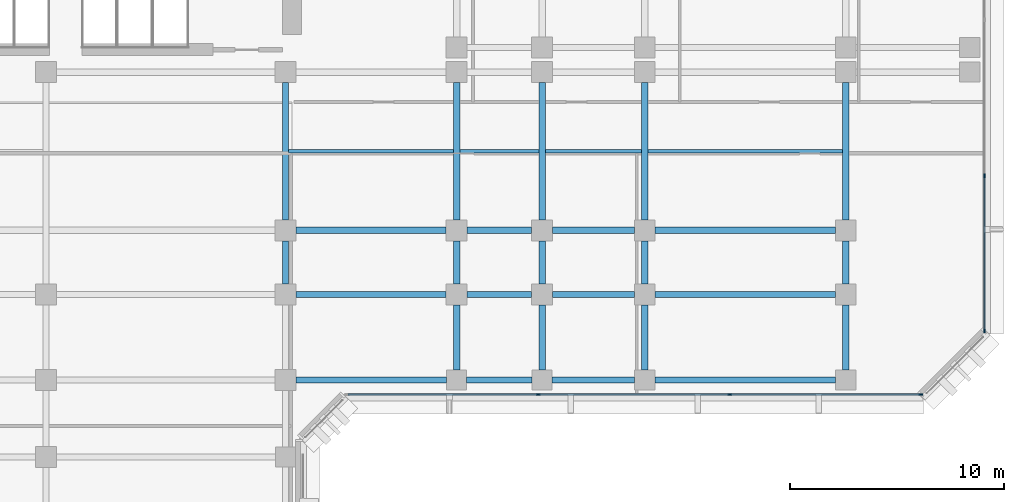
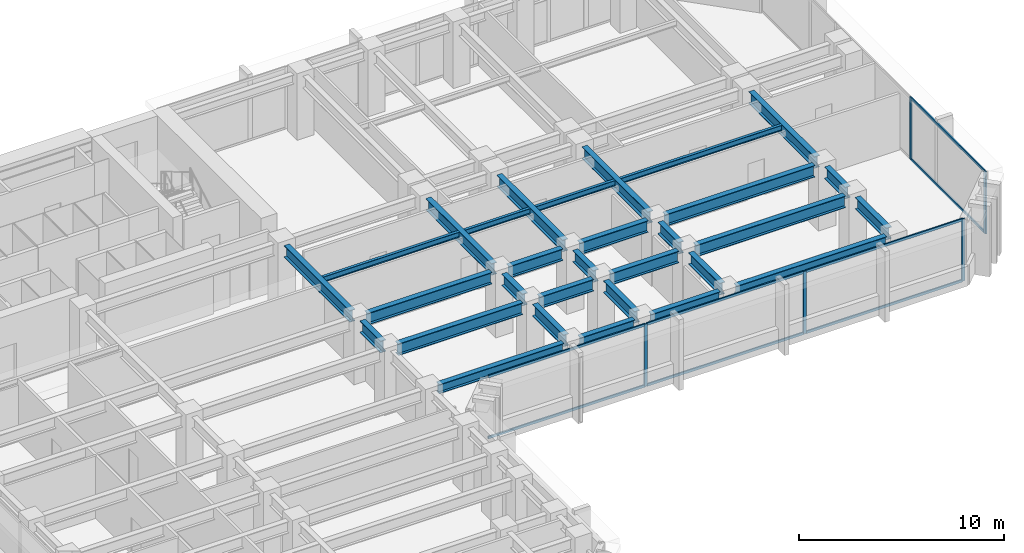
# One storey, part 3 of 13: 30 beams, 13 members, 2 elements without a shape of their own.
"""IFC4 building model written with IfcOpenShell, lengths in metres."""

from ifc_helpers import new_model, si_unit, direction, frame, origin, origin_2d, place, context, subcontext, project, spatial, rectangle, i_section, extrude, material, layer, layer_set, material_profile, profile_set, type_object, element, aggregate, save


model = new_model("IFC4")

# Units and contexts
model_context = context("Model", 3, precision=1e-05, world=origin(), true_north=direction((0.0, 1.0)))
body_context = subcontext(model_context, "Body", "Model", "MODEL_VIEW")
ifc_project = project(units=[si_unit("LENGTHUNIT", "METRE"), si_unit("AREAUNIT", "SQUARE_METRE"), si_unit("VOLUMEUNIT", "CUBIC_METRE"), si_unit("PLANEANGLEUNIT", "RADIAN"), si_unit("MASSUNIT", "GRAM", prefix="KILO")], contexts=[model_context])

# Site, building, storey
site_placement = place(None, origin())
site = spatial("IfcSite", under=ifc_project, at=site_placement, CompositionType="ELEMENT")
building_placement = place(site_placement, origin())
building = spatial("IfcBuilding", under=site, at=building_placement, Name="Kefirva Bronze Tower", CompositionType="ELEMENT")
storey_placement = place(building_placement, frame((0.0, 0.0, 46.199951171875)))
storey = spatial("IfcBuildingStorey", under=building, at=storey_placement, Name="L10", CompositionType="ELEMENT", Elevation=46.199951171875)

# Curtain wall, members
ifc_material_1 = material(Name="Bronze anodised aluminium", Category="aluminium")
ifc_layer = layer(ifc_material_1, 0.199951171875, Name="Bronze anodised aluminium")
ifc_layer_set = layer_set([ifc_layer], Name="Bronze anodised aluminium")
curtain_wall_type = type_object("IfcCurtainWallType", Name="Unitised Bronze Ribbon Curtain Wall Zone 1", PredefinedType="USERDEFINED", material=ifc_layer_set)
curtain_wall_1_placement = place(storey_placement, origin())
curtain_wall_1 = element("IfcCurtainWall", 1, at=curtain_wall_1_placement, inside=storey, type_object=curtain_wall_type, Name="L10 Curtain Wall 2", ObjectType="UNITISED CURTAIN WALL", PredefinedType="USERDEFINED")
ifc_material_profile_1 = material_profile(ifc_material_1, rectangle(XDim=0.074951171875, YDim=0.179931640625, at=origin_2d()), Name="ALU 75x180")
ifc_profile_set_1 = profile_set([ifc_material_profile_1], Name="Bronze anodised aluminium")
member_type_1 = type_object("IfcMemberType", Name="Bronze Mullion 75x180", PredefinedType="MULLION", material=ifc_profile_set_1)
member_1_placement = place(storey_placement, frame((35.018310546875, 18.1201171875, 0.0), z_axis=(0.0, 0.0, 1.0), x_axis=(0.0, 1.0, 0.0)))
member_1 = element("IfcMember", 2, at=member_1_placement, type_object=member_type_1, Name="CW-01 mullion 2", PredefinedType="MULLION", context=body_context, shape_type="SweptSolid", body=[
    extrude(rectangle(XDim=0.074951171875, YDim=0.179931640625, at=origin_2d()), origin(), (0.0, 0.0, 1.0), 3.7099609375),
])
member_2_placement = place(storey_placement, frame((43.981689453125, 18.1201171875, 0.0), z_axis=(0.0, 0.0, 1.0), x_axis=(0.0, 1.0, 0.0)))
member_2 = element("IfcMember", 3, at=member_2_placement, type_object=member_type_1, Name="CW-01 mullion 3", PredefinedType="MULLION", context=body_context, shape_type="SweptSolid", body=[
    extrude(rectangle(XDim=0.074951171875, YDim=0.179931640625, at=origin_2d()), origin(), (0.0, 0.0, 1.0), 3.7099609375),
])
member_3_placement = place(storey_placement, frame((52.907470703125, 18.1201171875, 0.0), z_axis=(0.0, 0.0, 1.0), x_axis=(0.0, 1.0, 0.0)))
member_3 = element("IfcMember", 4, at=member_3_placement, type_object=member_type_1, Name="CW-01 mullion 4", PredefinedType="MULLION", context=body_context, shape_type="SweptSolid", body=[
    extrude(rectangle(XDim=0.074951171875, YDim=0.179931640625, at=origin_2d()), origin(), (0.0, 0.0, 1.0), 3.7099609375),
])

curtain_wall_2_placement = place(storey_placement, origin())
curtain_wall_2 = element("IfcCurtainWall", 5, at=curtain_wall_2_placement, inside=storey, type_object=curtain_wall_type, Name="L10 Curtain Wall 3", ObjectType="UNITISED CURTAIN WALL", PredefinedType="USERDEFINED")
member_4_placement = place(storey_placement, frame((55.8798828125, 21.092529296875, 0.0), z_axis=(0.0, 0.0, 1.0), x_axis=(-1.0, 0.0, 0.0)))
member_4 = element("IfcMember", 6, at=member_4_placement, type_object=member_type_1, Name="CW-01 mullion 1", PredefinedType="MULLION", context=body_context, shape_type="SweptSolid", body=[
    extrude(rectangle(XDim=0.074951171875, YDim=0.179931640625, at=origin_2d()), origin(), (0.0, 0.0, 1.0), 3.7099609375),
])
member_5_placement = place(storey_placement, frame((55.8798828125, 28.3515625, 0.0), z_axis=(0.0, 0.0, 1.0), x_axis=(-1.0, 0.0, 0.0)))
member_5 = element("IfcMember", 7, at=member_5_placement, type_object=member_type_1, Name="CW-01 mullion 2", PredefinedType="MULLION", context=body_context, shape_type="SweptSolid", body=[
    extrude(rectangle(XDim=0.074951171875, YDim=0.179931640625, at=origin_2d()), origin(), (0.0, 0.0, 1.0), 3.7099609375),
])

# Member
ifc_material_profile_2 = material_profile(ifc_material_1, rectangle(XDim=0.074951171875, YDim=0.14990234375, at=origin_2d()), Name="ALU 75x150")
ifc_profile_set_2 = profile_set([ifc_material_profile_2], Name="Bronze anodised aluminium")
member_type_2 = type_object("IfcMemberType", Name="Bronze Transom 75x150", PredefinedType="USERDEFINED", material=ifc_profile_set_2)
member_6_placement = place(storey_placement, frame((26.1298828125, 18.1201171875, 0.03759765625), z_axis=(1.0, 0.0, 0.0), x_axis=(0.0, 1.0, 0.0)))
member_6 = element("IfcMember", 8, at=member_6_placement, type_object=member_type_2, Name="CW-01 transom 1.1", ObjectType="TRANSOM", PredefinedType="USERDEFINED", context=body_context, shape_type="SweptSolid", body=[
    extrude(rectangle(XDim=0.074951171875, YDim=0.14990234375, at=origin_2d()), origin(), (0.0, 0.0, 1.0), 8.850830078125),
])

member_7_placement = place(storey_placement, frame((26.1298828125, 18.1201171875, 3.672607421875), z_axis=(1.0, 0.0, 0.0), x_axis=(0.0, 1.0, 0.0)))
member_7 = element("IfcMember", 9, at=member_7_placement, type_object=member_type_2, Name="CW-01 transom 1.2", ObjectType="TRANSOM", PredefinedType="USERDEFINED", context=body_context, shape_type="SweptSolid", body=[
    extrude(rectangle(XDim=0.074951171875, YDim=0.14990234375, at=origin_2d()), origin(), (0.0, 0.0, 1.0), 8.850830078125),
])

member_8_placement = place(storey_placement, frame((35.055908203125, 18.1201171875, 0.03759765625), z_axis=(1.0, 0.0, 0.0), x_axis=(0.0, 1.0, 0.0)))
member_8 = element("IfcMember", 10, at=member_8_placement, type_object=member_type_2, Name="CW-01 transom 2.1", ObjectType="TRANSOM", PredefinedType="USERDEFINED", context=body_context, shape_type="SweptSolid", body=[
    extrude(rectangle(XDim=0.074951171875, YDim=0.14990234375, at=origin_2d()), origin(), (0.0, 0.0, 1.0), 8.88818359375),
])

member_9_placement = place(storey_placement, frame((35.055908203125, 18.1201171875, 3.672607421875), z_axis=(1.0, 0.0, 0.0), x_axis=(0.0, 1.0, 0.0)))
member_9 = element("IfcMember", 11, at=member_9_placement, type_object=member_type_2, Name="CW-01 transom 2.2", ObjectType="TRANSOM", PredefinedType="USERDEFINED", context=body_context, shape_type="SweptSolid", body=[
    extrude(rectangle(XDim=0.074951171875, YDim=0.14990234375, at=origin_2d()), origin(), (0.0, 0.0, 1.0), 8.88818359375),
])

member_10_placement = place(storey_placement, frame((44.019287109375, 18.1201171875, 0.03759765625), z_axis=(1.0, 0.0, 0.0), x_axis=(0.0, 1.0, 0.0)))
member_10 = element("IfcMember", 12, at=member_10_placement, type_object=member_type_2, Name="CW-01 transom 3.1", ObjectType="TRANSOM", PredefinedType="USERDEFINED", context=body_context, shape_type="SweptSolid", body=[
    extrude(rectangle(XDim=0.074951171875, YDim=0.14990234375, at=origin_2d()), origin(), (0.0, 0.0, 1.0), 8.850830078125),
])

member_11_placement = place(storey_placement, frame((44.019287109375, 18.1201171875, 3.672607421875), z_axis=(1.0, 0.0, 0.0), x_axis=(0.0, 1.0, 0.0)))
member_11 = element("IfcMember", 13, at=member_11_placement, type_object=member_type_2, Name="CW-01 transom 3.2", ObjectType="TRANSOM", PredefinedType="USERDEFINED", context=body_context, shape_type="SweptSolid", body=[
    extrude(rectangle(XDim=0.074951171875, YDim=0.14990234375, at=origin_2d()), origin(), (0.0, 0.0, 1.0), 8.850830078125),
])

aggregate(curtain_wall_1, [member_1, member_2, member_3, member_6, member_7, member_8, member_9, member_10, member_11])

member_12_placement = place(storey_placement, frame((55.8798828125, 21.1298828125, 0.03759765625), z_axis=(0.0, 1.0, 0.0), x_axis=(-1.0, 0.0, 0.0)))
member_12 = element("IfcMember", 14, at=member_12_placement, type_object=member_type_2, Name="CW-01 transom 1.1", ObjectType="TRANSOM", PredefinedType="USERDEFINED", context=body_context, shape_type="SweptSolid", body=[
    extrude(rectangle(XDim=0.074951171875, YDim=0.14990234375, at=origin_2d()), origin(), (0.0, 0.0, 1.0), 7.184326171875),
])

member_13_placement = place(storey_placement, frame((55.8798828125, 21.1298828125, 3.672607421875), z_axis=(0.0, 1.0, 0.0), x_axis=(-1.0, 0.0, 0.0)))
member_13 = element("IfcMember", 15, at=member_13_placement, type_object=member_type_2, Name="CW-01 transom 1.2", ObjectType="TRANSOM", PredefinedType="USERDEFINED", context=body_context, shape_type="SweptSolid", body=[
    extrude(rectangle(XDim=0.074951171875, YDim=0.14990234375, at=origin_2d()), origin(), (0.0, 0.0, 1.0), 7.184326171875),
])

aggregate(curtain_wall_2, [member_4, member_5, member_12, member_13])

# Beams
ifc_material_2 = material(Name="Steel S355", Category="steel")
ifc_material_profile_3 = material_profile(ifc_material_2, i_section(OverallWidth=0.159912109375, OverallDepth=0.330078125, WebThickness=0.007568359375, FlangeThickness=0.011474609375, at=origin_2d()), Name="IPE 330")
ifc_profile_set_3 = profile_set([ifc_material_profile_3], Name="Steel S355")
beam_type_1 = type_object("IfcBeamType", Name="Steel Floor Joist IPE 330", PredefinedType="JOIST", material=ifc_profile_set_3)
beam_1_placement = place(storey_placement, frame((23.35009765625, 29.5, 3.545166015625), z_axis=(1.0, 0.0, 0.0), x_axis=(0.0, 1.0, 0.0)))
element("IfcBeam", 16, at=beam_1_placement, inside=storey, type_object=beam_type_1, Name="L10 JST-L10-23-295", PredefinedType="JOIST", context=body_context, shape_type="SweptSolid", body=[
    extrude(i_section(OverallWidth=0.159912109375, OverallDepth=0.330078125, WebThickness=0.007568359375, FlangeThickness=0.011474609375, at=origin_2d()), origin(), (0.0, 0.0, 1.0), 7.699951171875),
])
beam_2_placement = place(storey_placement, frame((31.35009765625, 29.5, 3.545166015625), z_axis=(1.0, 0.0, 0.0), x_axis=(0.0, 1.0, 0.0)))
element("IfcBeam", 17, at=beam_2_placement, inside=storey, type_object=beam_type_1, Name="L10 JST-L10-31-295", PredefinedType="JOIST", context=body_context, shape_type="SweptSolid", body=[
    extrude(i_section(OverallWidth=0.159912109375, OverallDepth=0.330078125, WebThickness=0.007568359375, FlangeThickness=0.011474609375, at=origin_2d()), origin(), (0.0, 0.0, 1.0), 3.699951171875),
])
beam_3_placement = place(storey_placement, frame((35.35009765625, 29.5, 3.545166015625), z_axis=(1.0, 0.0, 0.0), x_axis=(0.0, 1.0, 0.0)))
element("IfcBeam", 18, at=beam_3_placement, inside=storey, type_object=beam_type_1, Name="L10 JST-L10-35-295", PredefinedType="JOIST", context=body_context, shape_type="SweptSolid", body=[
    extrude(i_section(OverallWidth=0.159912109375, OverallDepth=0.330078125, WebThickness=0.007568359375, FlangeThickness=0.011474609375, at=origin_2d()), origin(), (0.0, 0.0, 1.0), 4.5),
])
beam_4_placement = place(storey_placement, frame((40.14990234375, 29.5, 3.545166015625), z_axis=(1.0, 0.0, 0.0), x_axis=(0.0, 1.0, 0.0)))
element("IfcBeam", 19, at=beam_4_placement, inside=storey, type_object=beam_type_1, Name="L10 JST-L10-40-295", PredefinedType="JOIST", context=body_context, shape_type="SweptSolid", body=[
    extrude(i_section(OverallWidth=0.159912109375, OverallDepth=0.330078125, WebThickness=0.007568359375, FlangeThickness=0.011474609375, at=origin_2d()), origin(), (0.0, 0.0, 1.0), 9.10009765625),
])
ifc_material_profile_4 = material_profile(ifc_material_2, i_section(OverallWidth=0.300048828125, OverallDepth=0.699951171875, WebThickness=0.01708984375, FlangeThickness=0.031982421875, at=origin_2d()), Name="HEB 700")
ifc_profile_set_4 = profile_set([ifc_material_profile_4], Name="Steel S355")
beam_type_2 = type_object("IfcBeamType", Name="Steel Girder HEB 700", PredefinedType="USERDEFINED", material=ifc_profile_set_4)
beam_5_placement = place(storey_placement, frame((23.68994140625, 22.800048828125, 3.360107421875), z_axis=(1.0, 0.0, 0.0), x_axis=(0.0, 1.0, 0.0)))
element("IfcBeam", 20, at=beam_5_placement, inside=storey, type_object=beam_type_2, Name="L10 BM-L10-EW-23-228", ObjectType="GIRDER", PredefinedType="USERDEFINED", context=body_context, shape_type="SweptSolid", body=[
    extrude(i_section(OverallWidth=0.300048828125, OverallDepth=0.699951171875, WebThickness=0.01708984375, FlangeThickness=0.031982421875, at=origin_2d()), origin(), (0.0, 0.0, 1.0), 7.02001953125),
])
beam_6_placement = place(storey_placement, frame((31.68994140625, 22.800048828125, 3.360107421875), z_axis=(1.0, 0.0, 0.0), x_axis=(0.0, 1.0, 0.0)))
element("IfcBeam", 21, at=beam_6_placement, inside=storey, type_object=beam_type_2, Name="L10 BM-L10-EW-31-228", ObjectType="GIRDER", PredefinedType="USERDEFINED", context=body_context, shape_type="SweptSolid", body=[
    extrude(i_section(OverallWidth=0.300048828125, OverallDepth=0.699951171875, WebThickness=0.01708984375, FlangeThickness=0.031982421875, at=origin_2d()), origin(), (0.0, 0.0, 1.0), 3.02001953125),
])
beam_7_placement = place(storey_placement, frame((35.68994140625, 22.800048828125, 3.360107421875), z_axis=(1.0, 0.0, 0.0), x_axis=(0.0, 1.0, 0.0)))
element("IfcBeam", 22, at=beam_7_placement, inside=storey, type_object=beam_type_2, Name="L10 BM-L10-EW-35-228", ObjectType="GIRDER", PredefinedType="USERDEFINED", context=body_context, shape_type="SweptSolid", body=[
    extrude(i_section(OverallWidth=0.300048828125, OverallDepth=0.699951171875, WebThickness=0.01708984375, FlangeThickness=0.031982421875, at=origin_2d()), origin(), (0.0, 0.0, 1.0), 3.820068359375),
])
beam_8_placement = place(storey_placement, frame((40.489990234375, 22.800048828125, 3.360107421875), z_axis=(1.0, 0.0, 0.0), x_axis=(0.0, 1.0, 0.0)))
element("IfcBeam", 23, at=beam_8_placement, inside=storey, type_object=beam_type_2, Name="L10 BM-L10-EW-40-228", ObjectType="GIRDER", PredefinedType="USERDEFINED", context=body_context, shape_type="SweptSolid", body=[
    extrude(i_section(OverallWidth=0.300048828125, OverallDepth=0.699951171875, WebThickness=0.01708984375, FlangeThickness=0.031982421875, at=origin_2d()), origin(), (0.0, 0.0, 1.0), 8.419921875),
])
beam_9_placement = place(storey_placement, frame((23.68994140625, 25.800048828125, 3.360107421875), z_axis=(1.0, 0.0, 0.0), x_axis=(0.0, 1.0, 0.0)))
element("IfcBeam", 24, at=beam_9_placement, inside=storey, type_object=beam_type_2, Name="L10 BM-L10-EW-23-258", ObjectType="GIRDER", PredefinedType="USERDEFINED", context=body_context, shape_type="SweptSolid", body=[
    extrude(i_section(OverallWidth=0.300048828125, OverallDepth=0.699951171875, WebThickness=0.01708984375, FlangeThickness=0.031982421875, at=origin_2d()), origin(), (0.0, 0.0, 1.0), 7.02001953125),
])
beam_10_placement = place(storey_placement, frame((31.68994140625, 25.800048828125, 3.360107421875), z_axis=(1.0, 0.0, 0.0), x_axis=(0.0, 1.0, 0.0)))
element("IfcBeam", 25, at=beam_10_placement, inside=storey, type_object=beam_type_2, Name="L10 BM-L10-EW-31-258", ObjectType="GIRDER", PredefinedType="USERDEFINED", context=body_context, shape_type="SweptSolid", body=[
    extrude(i_section(OverallWidth=0.300048828125, OverallDepth=0.699951171875, WebThickness=0.01708984375, FlangeThickness=0.031982421875, at=origin_2d()), origin(), (0.0, 0.0, 1.0), 3.02001953125),
])
beam_11_placement = place(storey_placement, frame((35.68994140625, 25.800048828125, 3.360107421875), z_axis=(1.0, 0.0, 0.0), x_axis=(0.0, 1.0, 0.0)))
element("IfcBeam", 26, at=beam_11_placement, inside=storey, type_object=beam_type_2, Name="L10 BM-L10-EW-35-258", ObjectType="GIRDER", PredefinedType="USERDEFINED", context=body_context, shape_type="SweptSolid", body=[
    extrude(i_section(OverallWidth=0.300048828125, OverallDepth=0.699951171875, WebThickness=0.01708984375, FlangeThickness=0.031982421875, at=origin_2d()), origin(), (0.0, 0.0, 1.0), 3.820068359375),
])
beam_12_placement = place(storey_placement, frame((40.489990234375, 25.800048828125, 3.360107421875), z_axis=(1.0, 0.0, 0.0), x_axis=(0.0, 1.0, 0.0)))
element("IfcBeam", 27, at=beam_12_placement, inside=storey, type_object=beam_type_2, Name="L10 BM-L10-EW-40-258", ObjectType="GIRDER", PredefinedType="USERDEFINED", context=body_context, shape_type="SweptSolid", body=[
    extrude(i_section(OverallWidth=0.300048828125, OverallDepth=0.699951171875, WebThickness=0.01708984375, FlangeThickness=0.031982421875, at=origin_2d()), origin(), (0.0, 0.0, 1.0), 8.419921875),
])
beam_13_placement = place(storey_placement, frame((23.199951171875, 23.2900390625, 3.360107421875), z_axis=(0.0, 1.0, 0.0), x_axis=(-1.0, 0.0, 0.0)))
element("IfcBeam", 28, at=beam_13_placement, inside=storey, type_object=beam_type_2, Name="L10 BM-L10-NS-232-22", ObjectType="GIRDER", PredefinedType="USERDEFINED", context=body_context, shape_type="SweptSolid", body=[
    extrude(i_section(OverallWidth=0.300048828125, OverallDepth=0.699951171875, WebThickness=0.01708984375, FlangeThickness=0.031982421875, at=origin_2d()), origin(), (0.0, 0.0, 1.0), 2.02001953125),
])
beam_14_placement = place(storey_placement, frame((23.199951171875, 26.2900390625, 3.360107421875), z_axis=(0.0, 1.0, 0.0), x_axis=(-1.0, 0.0, 0.0)))
element("IfcBeam", 29, at=beam_14_placement, inside=storey, type_object=beam_type_2, Name="L10 BM-L10-NS-232-25", ObjectType="GIRDER", PredefinedType="USERDEFINED", context=body_context, shape_type="SweptSolid", body=[
    extrude(i_section(OverallWidth=0.300048828125, OverallDepth=0.699951171875, WebThickness=0.01708984375, FlangeThickness=0.031982421875, at=origin_2d()), origin(), (0.0, 0.0, 1.0), 6.419921875),
])
beam_15_placement = place(storey_placement, frame((31.199951171875, 19.27001953125, 3.360107421875), z_axis=(0.0, 1.0, 0.0), x_axis=(-1.0, 0.0, 0.0)))
element("IfcBeam", 30, at=beam_15_placement, inside=storey, type_object=beam_type_2, Name="L10 BM-L10-NS-312-18", ObjectType="GIRDER", PredefinedType="USERDEFINED", context=body_context, shape_type="SweptSolid", body=[
    extrude(i_section(OverallWidth=0.300048828125, OverallDepth=0.699951171875, WebThickness=0.01708984375, FlangeThickness=0.031982421875, at=origin_2d()), origin(), (0.0, 0.0, 1.0), 3.0400390625),
])
beam_16_placement = place(storey_placement, frame((31.199951171875, 23.2900390625, 3.360107421875), z_axis=(0.0, 1.0, 0.0), x_axis=(-1.0, 0.0, 0.0)))
element("IfcBeam", 31, at=beam_16_placement, inside=storey, type_object=beam_type_2, Name="L10 BM-L10-NS-312-22", ObjectType="GIRDER", PredefinedType="USERDEFINED", context=body_context, shape_type="SweptSolid", body=[
    extrude(i_section(OverallWidth=0.300048828125, OverallDepth=0.699951171875, WebThickness=0.01708984375, FlangeThickness=0.031982421875, at=origin_2d()), origin(), (0.0, 0.0, 1.0), 2.02001953125),
])
beam_17_placement = place(storey_placement, frame((31.199951171875, 26.2900390625, 3.360107421875), z_axis=(0.0, 1.0, 0.0), x_axis=(-1.0, 0.0, 0.0)))
element("IfcBeam", 32, at=beam_17_placement, inside=storey, type_object=beam_type_2, Name="L10 BM-L10-NS-312-25", ObjectType="GIRDER", PredefinedType="USERDEFINED", context=body_context, shape_type="SweptSolid", body=[
    extrude(i_section(OverallWidth=0.300048828125, OverallDepth=0.699951171875, WebThickness=0.01708984375, FlangeThickness=0.031982421875, at=origin_2d()), origin(), (0.0, 0.0, 1.0), 6.419921875),
])
beam_18_placement = place(storey_placement, frame((35.199951171875, 19.27001953125, 3.360107421875), z_axis=(0.0, 1.0, 0.0), x_axis=(-1.0, 0.0, 0.0)))
element("IfcBeam", 33, at=beam_18_placement, inside=storey, type_object=beam_type_2, Name="L10 BM-L10-NS-352-18", ObjectType="GIRDER", PredefinedType="USERDEFINED", context=body_context, shape_type="SweptSolid", body=[
    extrude(i_section(OverallWidth=0.300048828125, OverallDepth=0.699951171875, WebThickness=0.01708984375, FlangeThickness=0.031982421875, at=origin_2d()), origin(), (0.0, 0.0, 1.0), 3.0400390625),
])
beam_19_placement = place(storey_placement, frame((35.199951171875, 23.2900390625, 3.360107421875), z_axis=(0.0, 1.0, 0.0), x_axis=(-1.0, 0.0, 0.0)))
element("IfcBeam", 34, at=beam_19_placement, inside=storey, type_object=beam_type_2, Name="L10 BM-L10-NS-352-22", ObjectType="GIRDER", PredefinedType="USERDEFINED", context=body_context, shape_type="SweptSolid", body=[
    extrude(i_section(OverallWidth=0.300048828125, OverallDepth=0.699951171875, WebThickness=0.01708984375, FlangeThickness=0.031982421875, at=origin_2d()), origin(), (0.0, 0.0, 1.0), 2.02001953125),
])
beam_20_placement = place(storey_placement, frame((35.199951171875, 26.2900390625, 3.360107421875), z_axis=(0.0, 1.0, 0.0), x_axis=(-1.0, 0.0, 0.0)))
element("IfcBeam", 35, at=beam_20_placement, inside=storey, type_object=beam_type_2, Name="L10 BM-L10-NS-352-25", ObjectType="GIRDER", PredefinedType="USERDEFINED", context=body_context, shape_type="SweptSolid", body=[
    extrude(i_section(OverallWidth=0.300048828125, OverallDepth=0.699951171875, WebThickness=0.01708984375, FlangeThickness=0.031982421875, at=origin_2d()), origin(), (0.0, 0.0, 1.0), 6.419921875),
])
beam_21_placement = place(storey_placement, frame((40.0, 19.27001953125, 3.360107421875), z_axis=(0.0, 1.0, 0.0), x_axis=(-1.0, 0.0, 0.0)))
element("IfcBeam", 36, at=beam_21_placement, inside=storey, type_object=beam_type_2, Name="L10 BM-L10-NS-400-18", ObjectType="GIRDER", PredefinedType="USERDEFINED", context=body_context, shape_type="SweptSolid", body=[
    extrude(i_section(OverallWidth=0.300048828125, OverallDepth=0.699951171875, WebThickness=0.01708984375, FlangeThickness=0.031982421875, at=origin_2d()), origin(), (0.0, 0.0, 1.0), 3.0400390625),
])
beam_22_placement = place(storey_placement, frame((40.0, 23.2900390625, 3.360107421875), z_axis=(0.0, 1.0, 0.0), x_axis=(-1.0, 0.0, 0.0)))
element("IfcBeam", 37, at=beam_22_placement, inside=storey, type_object=beam_type_2, Name="L10 BM-L10-NS-400-22", ObjectType="GIRDER", PredefinedType="USERDEFINED", context=body_context, shape_type="SweptSolid", body=[
    extrude(i_section(OverallWidth=0.300048828125, OverallDepth=0.699951171875, WebThickness=0.01708984375, FlangeThickness=0.031982421875, at=origin_2d()), origin(), (0.0, 0.0, 1.0), 2.02001953125),
])
beam_23_placement = place(storey_placement, frame((40.0, 26.2900390625, 3.360107421875), z_axis=(0.0, 1.0, 0.0), x_axis=(-1.0, 0.0, 0.0)))
element("IfcBeam", 38, at=beam_23_placement, inside=storey, type_object=beam_type_2, Name="L10 BM-L10-NS-400-25", ObjectType="GIRDER", PredefinedType="USERDEFINED", context=body_context, shape_type="SweptSolid", body=[
    extrude(i_section(OverallWidth=0.300048828125, OverallDepth=0.699951171875, WebThickness=0.01708984375, FlangeThickness=0.031982421875, at=origin_2d()), origin(), (0.0, 0.0, 1.0), 6.419921875),
])
beam_24_placement = place(storey_placement, frame((49.39990234375, 19.27001953125, 3.360107421875), z_axis=(0.0, 1.0, 0.0), x_axis=(-1.0, 0.0, 0.0)))
element("IfcBeam", 39, at=beam_24_placement, inside=storey, type_object=beam_type_2, Name="L10 BM-L10-NS-494-18", ObjectType="GIRDER", PredefinedType="USERDEFINED", context=body_context, shape_type="SweptSolid", body=[
    extrude(i_section(OverallWidth=0.300048828125, OverallDepth=0.699951171875, WebThickness=0.01708984375, FlangeThickness=0.031982421875, at=origin_2d()), origin(), (0.0, 0.0, 1.0), 3.0400390625),
])
beam_25_placement = place(storey_placement, frame((49.39990234375, 23.2900390625, 3.360107421875), z_axis=(0.0, 1.0, 0.0), x_axis=(-1.0, 0.0, 0.0)))
element("IfcBeam", 40, at=beam_25_placement, inside=storey, type_object=beam_type_2, Name="L10 BM-L10-NS-494-22", ObjectType="GIRDER", PredefinedType="USERDEFINED", context=body_context, shape_type="SweptSolid", body=[
    extrude(i_section(OverallWidth=0.300048828125, OverallDepth=0.699951171875, WebThickness=0.01708984375, FlangeThickness=0.031982421875, at=origin_2d()), origin(), (0.0, 0.0, 1.0), 2.02001953125),
])
beam_26_placement = place(storey_placement, frame((49.39990234375, 26.2900390625, 3.360107421875), z_axis=(0.0, 1.0, 0.0), x_axis=(-1.0, 0.0, 0.0)))
element("IfcBeam", 41, at=beam_26_placement, inside=storey, type_object=beam_type_2, Name="L10 BM-L10-NS-494-25", ObjectType="GIRDER", PredefinedType="USERDEFINED", context=body_context, shape_type="SweptSolid", body=[
    extrude(i_section(OverallWidth=0.300048828125, OverallDepth=0.699951171875, WebThickness=0.01708984375, FlangeThickness=0.031982421875, at=origin_2d()), origin(), (0.0, 0.0, 1.0), 6.419921875),
])
ifc_material_profile_5 = material_profile(ifc_material_2, i_section(OverallWidth=0.300048828125, OverallDepth=0.550048828125, WebThickness=0.014892578125, FlangeThickness=0.029052734375, at=origin_2d()), Name="HEB 550")
ifc_profile_set_5 = profile_set([ifc_material_profile_5], Name="Steel S355")
beam_type_3 = type_object("IfcBeamType", Name="Steel Spandrel HEB 550 Ext", PredefinedType="SPANDREL", material=ifc_profile_set_5)
beam_27_placement = place(storey_placement, frame((23.68994140625, 18.800048828125, 3.43505859375), z_axis=(1.0, 0.0, 0.0), x_axis=(0.0, 1.0, 0.0)))
element("IfcBeam", 42, at=beam_27_placement, inside=storey, type_object=beam_type_3, Name="L10 BM-L10-EW-23-188", PredefinedType="SPANDREL", context=body_context, shape_type="SweptSolid", body=[
    extrude(i_section(OverallWidth=0.300048828125, OverallDepth=0.550048828125, WebThickness=0.014892578125, FlangeThickness=0.029052734375, at=origin_2d()), origin(), (0.0, 0.0, 1.0), 7.0400390625),
])
beam_28_placement = place(storey_placement, frame((31.669921875, 18.800048828125, 3.43505859375), z_axis=(1.0, 0.0, 0.0), x_axis=(0.0, 1.0, 0.0)))
element("IfcBeam", 43, at=beam_28_placement, inside=storey, type_object=beam_type_3, Name="L10 BM-L10-EW-31-188", PredefinedType="SPANDREL", context=body_context, shape_type="SweptSolid", body=[
    extrude(i_section(OverallWidth=0.300048828125, OverallDepth=0.550048828125, WebThickness=0.014892578125, FlangeThickness=0.029052734375, at=origin_2d()), origin(), (0.0, 0.0, 1.0), 3.06005859375),
])
beam_29_placement = place(storey_placement, frame((35.669921875, 18.800048828125, 3.43505859375), z_axis=(1.0, 0.0, 0.0), x_axis=(0.0, 1.0, 0.0)))
element("IfcBeam", 44, at=beam_29_placement, inside=storey, type_object=beam_type_3, Name="L10 BM-L10-EW-35-188", PredefinedType="SPANDREL", context=body_context, shape_type="SweptSolid", body=[
    extrude(i_section(OverallWidth=0.300048828125, OverallDepth=0.550048828125, WebThickness=0.014892578125, FlangeThickness=0.029052734375, at=origin_2d()), origin(), (0.0, 0.0, 1.0), 3.860107421875),
])
beam_30_placement = place(storey_placement, frame((40.469970703125, 18.800048828125, 3.43505859375), z_axis=(1.0, 0.0, 0.0), x_axis=(0.0, 1.0, 0.0)))
element("IfcBeam", 45, at=beam_30_placement, inside=storey, type_object=beam_type_3, Name="L10 BM-L10-EW-40-188", PredefinedType="SPANDREL", context=body_context, shape_type="SweptSolid", body=[
    extrude(i_section(OverallWidth=0.300048828125, OverallDepth=0.550048828125, WebThickness=0.014892578125, FlangeThickness=0.029052734375, at=origin_2d()), origin(), (0.0, 0.0, 1.0), 8.4599609375),
])

save(model, "model.ifc")
